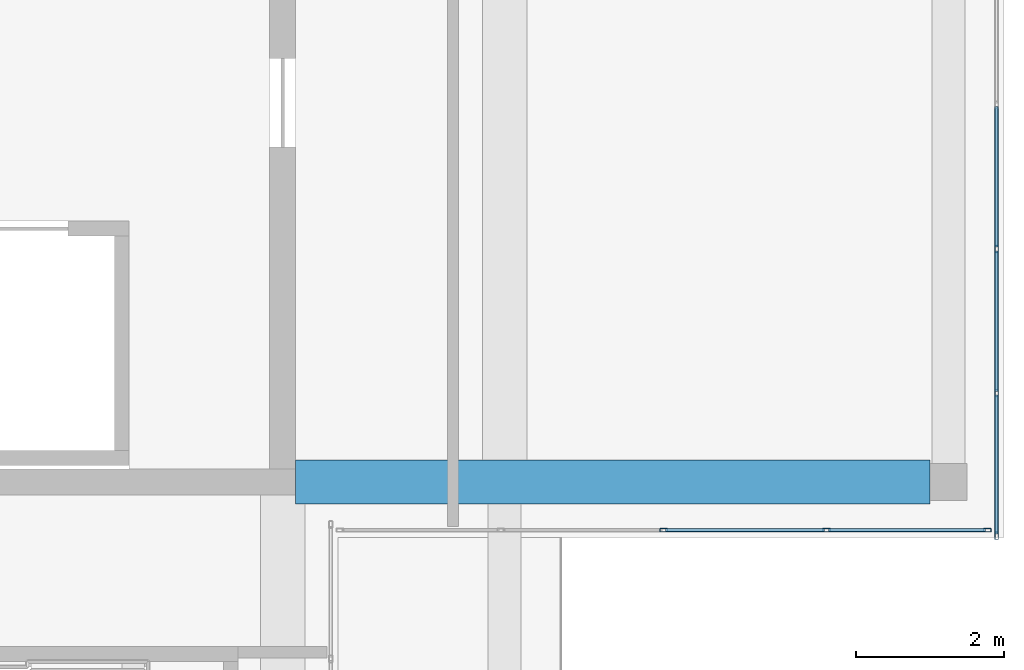
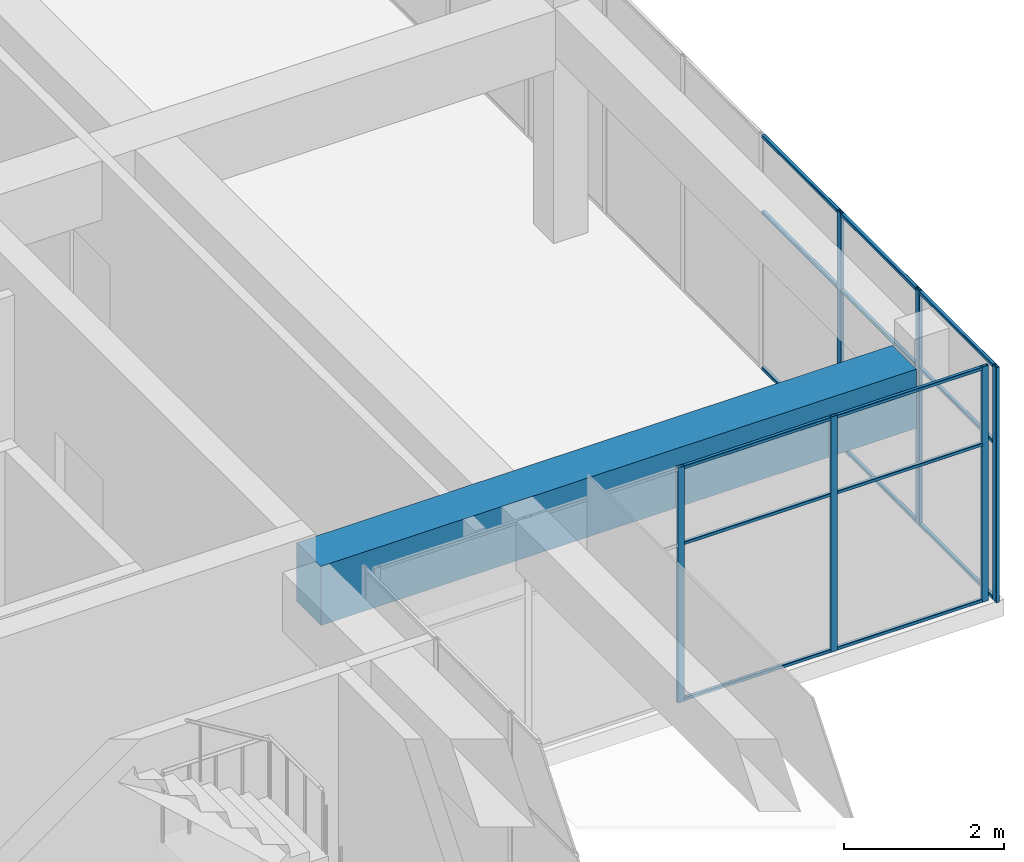
# One storey, part 16 of 36: 21 members, 1 beam, 2 elements without a shape of their own.
"""IFC4 building model written with IfcOpenShell, lengths in metres."""

from ifc_helpers import new_model, si_unit, direction, frame, origin, origin_2d, place, context, subcontext, project, spatial, rectangle, hollow_rectangle, extrude, material, layer, layer_set, material_profile, profile_set, type_object, element, aggregate, save


model = new_model("IFC4")

# Units and contexts
model_context = context("Model", 3, precision=1e-05, world=origin(), true_north=direction((0.0, 1.0)))
body_context = subcontext(model_context, "Body", "Model", "MODEL_VIEW")
ifc_project = project(units=[si_unit("LENGTHUNIT", "METRE"), si_unit("AREAUNIT", "SQUARE_METRE"), si_unit("VOLUMEUNIT", "CUBIC_METRE"), si_unit("PLANEANGLEUNIT", "RADIAN"), si_unit("MASSUNIT", "GRAM", prefix="KILO")], contexts=[model_context])

# Site, building, storey
site_placement = place(None, origin())
site = spatial("IfcSite", under=ifc_project, at=site_placement, CompositionType="ELEMENT")
building_placement = place(site_placement, origin())
building = spatial("IfcBuilding", under=site, at=building_placement, Name="Tuart Plaza Theatre", CompositionType="ELEMENT")
storey_placement = place(building_placement, frame((0.0, 0.0, 61.5)))
storey = spatial("IfcBuildingStorey", under=building, at=storey_placement, Name="L15", CompositionType="ELEMENT", Elevation=61.5)

# Beam
ifc_material_1 = material(Name="Concrete N40 (40 MPa)", Category="concrete")
ifc_material_profile_1 = material_profile(ifc_material_1, rectangle(XDim=0.60009765625, YDim=0.89990234375, at=origin_2d()), Name="BEAM 600x900 Concrete N40 (40 MPa)")
ifc_profile_set_1 = profile_set([ifc_material_profile_1], Name="Concrete N40 (40 MPa)")
beam_type = type_object("IfcBeamType", Name="BEAM 600x900 Concrete N40 (40 MPa)", PredefinedType="BEAM", material=ifc_profile_set_1)
beam_placement = place(storey_placement, frame((141.175048828125, 65.0, 3.1298828125), z_axis=(1.0, 0.0, 0.0), x_axis=(0.0, 1.0, 0.0)))
element("IfcBeam", 1, at=beam_placement, inside=storey, type_object=beam_type, Name="RB342", PredefinedType="BEAM", context=body_context, shape_type="SweptSolid", body=[
    extrude(rectangle(XDim=0.60009765625, YDim=0.89990234375, at=origin_2d()), origin(), (0.0, 0.0, 1.0), 8.574951171875),
])

# Curtain wall, members
ifc_material_2 = material(Name="Aluminium and glass", Category="aluminium")
ifc_layer = layer(ifc_material_2, 0.10009765625)
ifc_layer_set = layer_set([ifc_layer], Name="CURTAIN WALL 2000 module")
curtain_wall_type = type_object("IfcCurtainWallType", Name="CURTAIN WALL 2000 module", PredefinedType="NOTDEFINED", material=ifc_layer_set)
curtain_wall_1_placement = place(storey_placement, origin())
curtain_wall_1 = element("IfcCurtainWall", 2, at=curtain_wall_1_placement, inside=storey, type_object=curtain_wall_type, Name="CW113", PredefinedType="NOTDEFINED")
ifc_material_3 = material(Name="Aluminium 6063-T5", Category="aluminium")
ifc_material_profile_2 = material_profile(ifc_material_3, hollow_rectangle(XDim=0.050048828125, YDim=0.10009765625, WallThickness=0.00390625, InnerFilletRadius=0.00390625, OuterFilletRadius=0.008056640625, at=origin_2d()), Name="RHS 100x50x4")
ifc_profile_set_2 = profile_set([ifc_material_profile_2], Name="Aluminium 6063-T5")
member_type_1 = type_object("IfcMemberType", Name="MULLION RHS 100x50x4", PredefinedType="MULLION", material=ifc_profile_set_2)
member_1_placement = place(storey_placement, frame((146.14990234375, 64.35009765625, 0.0), z_axis=(0.0, 0.0, 1.0), x_axis=(0.0, 1.0, 0.0)))
member_1 = element("IfcMember", 3, at=member_1_placement, type_object=member_type_1, Name="CW113 mullion 3", PredefinedType="MULLION", context=body_context, shape_type="SweptSolid", body=[
    extrude(hollow_rectangle(XDim=0.050048828125, YDim=0.10009765625, WallThickness=0.00390625, InnerFilletRadius=0.00390625, OuterFilletRadius=0.008056640625, at=origin_2d()), origin(), (0.0, 0.0, 1.0), 3.580078125),
])
member_2_placement = place(storey_placement, frame((148.35009765625, 64.35009765625, 0.0), z_axis=(0.0, 0.0, 1.0), x_axis=(0.0, 1.0, 0.0)))
member_2 = element("IfcMember", 4, at=member_2_placement, type_object=member_type_1, Name="CW113 mullion 4", PredefinedType="MULLION", context=body_context, shape_type="SweptSolid", body=[
    extrude(hollow_rectangle(XDim=0.050048828125, YDim=0.10009765625, WallThickness=0.00390625, InnerFilletRadius=0.00390625, OuterFilletRadius=0.008056640625, at=origin_2d()), origin(), (0.0, 0.0, 1.0), 3.580078125),
])
member_3_placement = place(storey_placement, frame((150.52490234375, 64.35009765625, 0.0), z_axis=(0.0, 0.0, 1.0), x_axis=(0.0, 1.0, 0.0)))
member_3 = element("IfcMember", 5, at=member_3_placement, type_object=member_type_1, Name="CW113 mullion 5", PredefinedType="MULLION", context=body_context, shape_type="SweptSolid", body=[
    extrude(hollow_rectangle(XDim=0.050048828125, YDim=0.10009765625, WallThickness=0.00390625, InnerFilletRadius=0.00390625, OuterFilletRadius=0.008056640625, at=origin_2d()), origin(), (0.0, 0.0, 1.0), 3.580078125),
])

curtain_wall_2_placement = place(storey_placement, origin())
curtain_wall_2 = element("IfcCurtainWall", 6, at=curtain_wall_2_placement, inside=storey, type_object=curtain_wall_type, Name="CW114", PredefinedType="NOTDEFINED")
member_4_placement = place(storey_placement, frame((150.64990234375, 64.27490234375, 0.0), z_axis=(0.0, 0.0, 1.0), x_axis=(-1.0, 0.0, 0.0)))
member_4 = element("IfcMember", 7, at=member_4_placement, type_object=member_type_1, Name="CW114 mullion 1", PredefinedType="MULLION", context=body_context, shape_type="SweptSolid", body=[
    extrude(hollow_rectangle(XDim=0.050048828125, YDim=0.10009765625, WallThickness=0.00390625, InnerFilletRadius=0.00390625, OuterFilletRadius=0.008056640625, at=origin_2d()), origin(), (0.0, 0.0, 1.0), 3.580078125),
])
member_5_placement = place(storey_placement, frame((150.64990234375, 66.199951171875, 0.0), z_axis=(0.0, 0.0, 1.0), x_axis=(-1.0, 0.0, 0.0)))
member_5 = element("IfcMember", 8, at=member_5_placement, type_object=member_type_1, Name="CW114 mullion 2", PredefinedType="MULLION", context=body_context, shape_type="SweptSolid", body=[
    extrude(hollow_rectangle(XDim=0.050048828125, YDim=0.10009765625, WallThickness=0.00390625, InnerFilletRadius=0.00390625, OuterFilletRadius=0.008056640625, at=origin_2d()), origin(), (0.0, 0.0, 1.0), 3.580078125),
])
member_6_placement = place(storey_placement, frame((150.64990234375, 68.14990234375, 0.0), z_axis=(0.0, 0.0, 1.0), x_axis=(-1.0, 0.0, 0.0)))
member_6 = element("IfcMember", 9, at=member_6_placement, type_object=member_type_1, Name="CW114 mullion 3", PredefinedType="MULLION", context=body_context, shape_type="SweptSolid", body=[
    extrude(hollow_rectangle(XDim=0.050048828125, YDim=0.10009765625, WallThickness=0.00390625, InnerFilletRadius=0.00390625, OuterFilletRadius=0.008056640625, at=origin_2d()), origin(), (0.0, 0.0, 1.0), 3.580078125),
])

# Member
ifc_material_4 = material(Name="Aluminium 6063-T5", Category="aluminium")
ifc_material_profile_3 = material_profile(ifc_material_4, hollow_rectangle(XDim=0.050048828125, YDim=0.050048828125, WallThickness=0.00390625, InnerFilletRadius=0.00390625, OuterFilletRadius=0.008056640625, at=origin_2d()), Name="RHS 50x50x4")
ifc_profile_set_3 = profile_set([ifc_material_profile_3], Name="Aluminium 6063-T5")
member_type_2 = type_object("IfcMemberType", Name="TRANSOM RHS 50x50x4", PredefinedType="USERDEFINED", material=ifc_profile_set_3)
member_7_placement = place(storey_placement, frame((146.175048828125, 64.35009765625, 0.02490234375), z_axis=(1.0, 0.0, 0.0), x_axis=(0.0, 1.0, 0.0)))
member_7 = element("IfcMember", 10, at=member_7_placement, type_object=member_type_2, Name="CW113 transom 3.1", ObjectType="TRANSOM", PredefinedType="USERDEFINED", context=body_context, shape_type="SweptSolid", body=[
    extrude(hollow_rectangle(XDim=0.050048828125, YDim=0.050048828125, WallThickness=0.00390625, InnerFilletRadius=0.00390625, OuterFilletRadius=0.008056640625, at=origin_2d()), origin(), (0.0, 0.0, 1.0), 2.14990234375),
])

member_8_placement = place(storey_placement, frame((146.175048828125, 64.35009765625, 2.39990234375), z_axis=(1.0, 0.0, 0.0), x_axis=(0.0, 1.0, 0.0)))
member_8 = element("IfcMember", 11, at=member_8_placement, type_object=member_type_2, Name="CW113 transom 3.2", ObjectType="TRANSOM", PredefinedType="USERDEFINED", context=body_context, shape_type="SweptSolid", body=[
    extrude(hollow_rectangle(XDim=0.050048828125, YDim=0.050048828125, WallThickness=0.00390625, InnerFilletRadius=0.00390625, OuterFilletRadius=0.008056640625, at=origin_2d()), origin(), (0.0, 0.0, 1.0), 2.14990234375),
])

member_9_placement = place(storey_placement, frame((146.175048828125, 64.35009765625, 3.554931640625), z_axis=(1.0, 0.0, 0.0), x_axis=(0.0, 1.0, 0.0)))
member_9 = element("IfcMember", 12, at=member_9_placement, type_object=member_type_2, Name="CW113 transom 3.3", ObjectType="TRANSOM", PredefinedType="USERDEFINED", context=body_context, shape_type="SweptSolid", body=[
    extrude(hollow_rectangle(XDim=0.050048828125, YDim=0.050048828125, WallThickness=0.00390625, InnerFilletRadius=0.00390625, OuterFilletRadius=0.008056640625, at=origin_2d()), origin(), (0.0, 0.0, 1.0), 2.14990234375),
])

member_10_placement = place(storey_placement, frame((148.375, 64.35009765625, 0.02490234375), z_axis=(1.0, 0.0, 0.0), x_axis=(0.0, 1.0, 0.0)))
member_10 = element("IfcMember", 13, at=member_10_placement, type_object=member_type_2, Name="CW113 transom 4.1", ObjectType="TRANSOM", PredefinedType="USERDEFINED", context=body_context, shape_type="SweptSolid", body=[
    extrude(hollow_rectangle(XDim=0.050048828125, YDim=0.050048828125, WallThickness=0.00390625, InnerFilletRadius=0.00390625, OuterFilletRadius=0.008056640625, at=origin_2d()), origin(), (0.0, 0.0, 1.0), 2.125),
])

member_11_placement = place(storey_placement, frame((148.375, 64.35009765625, 2.39990234375), z_axis=(1.0, 0.0, 0.0), x_axis=(0.0, 1.0, 0.0)))
member_11 = element("IfcMember", 14, at=member_11_placement, type_object=member_type_2, Name="CW113 transom 4.2", ObjectType="TRANSOM", PredefinedType="USERDEFINED", context=body_context, shape_type="SweptSolid", body=[
    extrude(hollow_rectangle(XDim=0.050048828125, YDim=0.050048828125, WallThickness=0.00390625, InnerFilletRadius=0.00390625, OuterFilletRadius=0.008056640625, at=origin_2d()), origin(), (0.0, 0.0, 1.0), 2.125),
])

member_12_placement = place(storey_placement, frame((148.375, 64.35009765625, 3.554931640625), z_axis=(1.0, 0.0, 0.0), x_axis=(0.0, 1.0, 0.0)))
member_12 = element("IfcMember", 15, at=member_12_placement, type_object=member_type_2, Name="CW113 transom 4.3", ObjectType="TRANSOM", PredefinedType="USERDEFINED", context=body_context, shape_type="SweptSolid", body=[
    extrude(hollow_rectangle(XDim=0.050048828125, YDim=0.050048828125, WallThickness=0.00390625, InnerFilletRadius=0.00390625, OuterFilletRadius=0.008056640625, at=origin_2d()), origin(), (0.0, 0.0, 1.0), 2.125),
])

aggregate(curtain_wall_1, [member_1, member_2, member_3, member_7, member_8, member_9, member_10, member_11, member_12])

member_13_placement = place(storey_placement, frame((150.64990234375, 64.300048828125, 0.02490234375), z_axis=(0.0, 1.0, 0.0), x_axis=(-1.0, 0.0, 0.0)))
member_13 = element("IfcMember", 16, at=member_13_placement, type_object=member_type_2, Name="CW114 transom 1.1", ObjectType="TRANSOM", PredefinedType="USERDEFINED", context=body_context, shape_type="SweptSolid", body=[
    extrude(hollow_rectangle(XDim=0.050048828125, YDim=0.050048828125, WallThickness=0.00390625, InnerFilletRadius=0.00390625, OuterFilletRadius=0.008056640625, at=origin_2d()), origin(), (0.0, 0.0, 1.0), 1.875),
])

member_14_placement = place(storey_placement, frame((150.64990234375, 64.300048828125, 2.39990234375), z_axis=(0.0, 1.0, 0.0), x_axis=(-1.0, 0.0, 0.0)))
member_14 = element("IfcMember", 17, at=member_14_placement, type_object=member_type_2, Name="CW114 transom 1.2", ObjectType="TRANSOM", PredefinedType="USERDEFINED", context=body_context, shape_type="SweptSolid", body=[
    extrude(hollow_rectangle(XDim=0.050048828125, YDim=0.050048828125, WallThickness=0.00390625, InnerFilletRadius=0.00390625, OuterFilletRadius=0.008056640625, at=origin_2d()), origin(), (0.0, 0.0, 1.0), 1.875),
])

member_15_placement = place(storey_placement, frame((150.64990234375, 64.300048828125, 3.554931640625), z_axis=(0.0, 1.0, 0.0), x_axis=(-1.0, 0.0, 0.0)))
member_15 = element("IfcMember", 18, at=member_15_placement, type_object=member_type_2, Name="CW114 transom 1.3", ObjectType="TRANSOM", PredefinedType="USERDEFINED", context=body_context, shape_type="SweptSolid", body=[
    extrude(hollow_rectangle(XDim=0.050048828125, YDim=0.050048828125, WallThickness=0.00390625, InnerFilletRadius=0.00390625, OuterFilletRadius=0.008056640625, at=origin_2d()), origin(), (0.0, 0.0, 1.0), 1.875),
])

member_16_placement = place(storey_placement, frame((150.64990234375, 66.22509765625, 0.02490234375), z_axis=(0.0, 1.0, 0.0), x_axis=(-1.0, 0.0, 0.0)))
member_16 = element("IfcMember", 19, at=member_16_placement, type_object=member_type_2, Name="CW114 transom 2.1", ObjectType="TRANSOM", PredefinedType="USERDEFINED", context=body_context, shape_type="SweptSolid", body=[
    extrude(hollow_rectangle(XDim=0.050048828125, YDim=0.050048828125, WallThickness=0.00390625, InnerFilletRadius=0.00390625, OuterFilletRadius=0.008056640625, at=origin_2d()), origin(), (0.0, 0.0, 1.0), 1.89990234375),
])

member_17_placement = place(storey_placement, frame((150.64990234375, 66.22509765625, 2.39990234375), z_axis=(0.0, 1.0, 0.0), x_axis=(-1.0, 0.0, 0.0)))
member_17 = element("IfcMember", 20, at=member_17_placement, type_object=member_type_2, Name="CW114 transom 2.2", ObjectType="TRANSOM", PredefinedType="USERDEFINED", context=body_context, shape_type="SweptSolid", body=[
    extrude(hollow_rectangle(XDim=0.050048828125, YDim=0.050048828125, WallThickness=0.00390625, InnerFilletRadius=0.00390625, OuterFilletRadius=0.008056640625, at=origin_2d()), origin(), (0.0, 0.0, 1.0), 1.89990234375),
])

member_18_placement = place(storey_placement, frame((150.64990234375, 66.22509765625, 3.554931640625), z_axis=(0.0, 1.0, 0.0), x_axis=(-1.0, 0.0, 0.0)))
member_18 = element("IfcMember", 21, at=member_18_placement, type_object=member_type_2, Name="CW114 transom 2.3", ObjectType="TRANSOM", PredefinedType="USERDEFINED", context=body_context, shape_type="SweptSolid", body=[
    extrude(hollow_rectangle(XDim=0.050048828125, YDim=0.050048828125, WallThickness=0.00390625, InnerFilletRadius=0.00390625, OuterFilletRadius=0.008056640625, at=origin_2d()), origin(), (0.0, 0.0, 1.0), 1.89990234375),
])

member_19_placement = place(storey_placement, frame((150.64990234375, 68.175048828125, 0.02490234375), z_axis=(0.0, 1.0, 0.0), x_axis=(-1.0, 0.0, 0.0)))
member_19 = element("IfcMember", 22, at=member_19_placement, type_object=member_type_2, Name="CW114 transom 3.1", ObjectType="TRANSOM", PredefinedType="USERDEFINED", context=body_context, shape_type="SweptSolid", body=[
    extrude(hollow_rectangle(XDim=0.050048828125, YDim=0.050048828125, WallThickness=0.00390625, InnerFilletRadius=0.00390625, OuterFilletRadius=0.008056640625, at=origin_2d()), origin(), (0.0, 0.0, 1.0), 1.89990234375),
])

member_20_placement = place(storey_placement, frame((150.64990234375, 68.175048828125, 2.39990234375), z_axis=(0.0, 1.0, 0.0), x_axis=(-1.0, 0.0, 0.0)))
member_20 = element("IfcMember", 23, at=member_20_placement, type_object=member_type_2, Name="CW114 transom 3.2", ObjectType="TRANSOM", PredefinedType="USERDEFINED", context=body_context, shape_type="SweptSolid", body=[
    extrude(hollow_rectangle(XDim=0.050048828125, YDim=0.050048828125, WallThickness=0.00390625, InnerFilletRadius=0.00390625, OuterFilletRadius=0.008056640625, at=origin_2d()), origin(), (0.0, 0.0, 1.0), 1.89990234375),
])

member_21_placement = place(storey_placement, frame((150.64990234375, 68.175048828125, 3.554931640625), z_axis=(0.0, 1.0, 0.0), x_axis=(-1.0, 0.0, 0.0)))
member_21 = element("IfcMember", 24, at=member_21_placement, type_object=member_type_2, Name="CW114 transom 3.3", ObjectType="TRANSOM", PredefinedType="USERDEFINED", context=body_context, shape_type="SweptSolid", body=[
    extrude(hollow_rectangle(XDim=0.050048828125, YDim=0.050048828125, WallThickness=0.00390625, InnerFilletRadius=0.00390625, OuterFilletRadius=0.008056640625, at=origin_2d()), origin(), (0.0, 0.0, 1.0), 1.89990234375),
])

aggregate(curtain_wall_2, [member_4, member_5, member_6, member_13, member_14, member_15, member_16, member_17, member_18, member_19, member_20, member_21])

save(model, "model.ifc")
